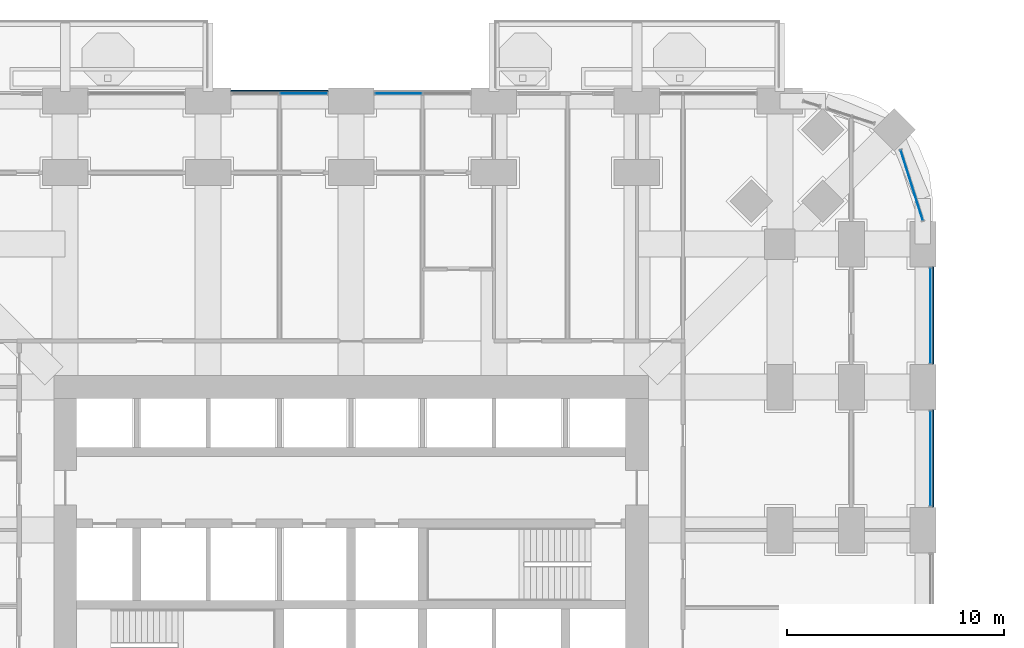
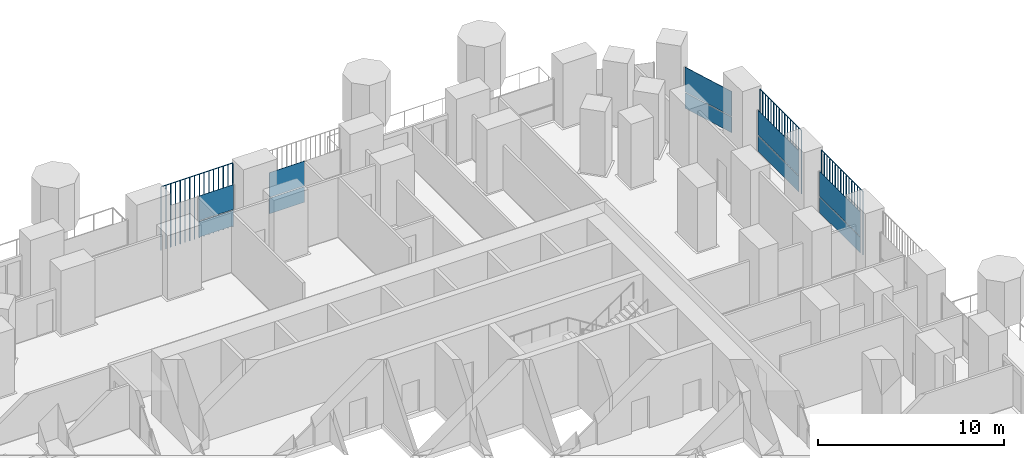
# One storey, part 16 of 27: 13 plates, 5 elements without a shape of their own.
"""IFC4 building model written with IfcOpenShell, lengths in metres."""

from ifc_helpers import new_model, si_unit, direction, frame, origin, origin_2d, place, context, subcontext, project, spatial, polyline, rectangle, outline, extrude, material, layer, layer_set, type_object, element, aggregate, save


model = new_model("IFC4")

# Units and contexts
model_context = context("Model", 3, precision=1e-05, world=origin(), true_north=direction((0.0, 1.0)))
body_context = subcontext(model_context, "Body", "Model", "MODEL_VIEW")
ifc_project = project(units=[si_unit("LENGTHUNIT", "METRE"), si_unit("AREAUNIT", "SQUARE_METRE"), si_unit("VOLUMEUNIT", "CUBIC_METRE"), si_unit("PLANEANGLEUNIT", "RADIAN"), si_unit("MASSUNIT", "GRAM", prefix="KILO")], contexts=[model_context])

# Site, building, storey
site_placement = place(None, origin())
site = spatial("IfcSite", under=ifc_project, at=site_placement, CompositionType="ELEMENT")
building_placement = place(site_placement, origin())
building = spatial("IfcBuilding", under=site, at=building_placement, Name="Cobogo Forest Laboratory Tower", CompositionType="ELEMENT")
storey_placement = place(building_placement, frame((0.0, 0.0, 38.10009765625)))
storey = spatial("IfcBuildingStorey", under=building, at=storey_placement, Name="L08", CompositionType="ELEMENT", Elevation=38.10009765625)

# Curtain wall, plates
ifc_material_1 = material(Name="Aluminium curtain wall", Category="aluminium")
curtain_wall_type = type_object("IfcCurtainWallType", Name="CW-1 unitised curtain wall, clear glazing, laboratory floors zones A and B", PredefinedType="USERDEFINED", material=ifc_material_1)
curtain_wall_1_placement = place(storey_placement, origin())
curtain_wall_1 = element("IfcCurtainWall", 1, at=curtain_wall_1_placement, inside=storey, type_object=curtain_wall_type, Name="Curtain wall 13 L08", ObjectType="UNITISED CURTAIN WALL", PredefinedType="USERDEFINED")
ifc_material_2 = material(Name="Clear insulated glass", Category="glass")
ifc_layer = layer(ifc_material_2, 0.028076171875)
ifc_layer_set = layer_set([ifc_layer], Name="GP-1 clear insulated glass unit 28")
plate_type_1 = type_object("IfcPlateType", Name="GP-1 clear insulated glass unit 28", PredefinedType="CURTAIN_PANEL", material=ifc_layer_set)
plate_1_placement = place(storey_placement, frame((53.14990234375, 29.699951171875, 0.0), z_axis=(0.0, 0.0, 1.0), x_axis=(0.0, 1.0, 0.0)))
plate_1 = element("IfcPlate", 2, at=plate_1_placement, type_object=plate_type_1, Name="CW-1 panel 1.1", PredefinedType="CURTAIN_PANEL", context=body_context, shape_type="SweptSolid", body=[
    extrude(rectangle(XDim=4.3798828125, YDim=0.028076171875, at=origin_2d()), origin(), (0.0, 0.0, 1.0), 1.02001953125),
])
plate_2_placement = place(storey_placement, frame((53.14990234375, 29.699951171875, 1.079833984375), z_axis=(0.0, 0.0, 1.0), x_axis=(0.0, 1.0, 0.0)))
plate_2 = element("IfcPlate", 3, at=plate_2_placement, type_object=plate_type_1, Name="CW-1 panel 1.2", PredefinedType="CURTAIN_PANEL", context=body_context, shape_type="SweptSolid", body=[
    extrude(rectangle(XDim=4.3798828125, YDim=0.028076171875, at=origin_2d()), origin(), (0.0, 0.0, 1.0), 1.6201171875),
])
aggregate(curtain_wall_1, [plate_1, plate_2])

curtain_wall_2_placement = place(storey_placement, origin())
curtain_wall_2 = element("IfcCurtainWall", 4, at=curtain_wall_2_placement, inside=storey, type_object=curtain_wall_type, Name="Curtain wall 14 L08", ObjectType="UNITISED CURTAIN WALL", PredefinedType="USERDEFINED")
plate_3_placement = place(storey_placement, frame((53.14990234375, 36.300048828125, 0.0), z_axis=(0.0, 0.0, 1.0), x_axis=(0.0, 1.0, 0.0)))
plate_3 = element("IfcPlate", 5, at=plate_3_placement, type_object=plate_type_1, Name="CW-1 panel 1.1", PredefinedType="CURTAIN_PANEL", context=body_context, shape_type="SweptSolid", body=[
    extrude(rectangle(XDim=4.3798828125, YDim=0.028076171875, at=origin_2d()), origin(), (0.0, 0.0, 1.0), 1.02001953125),
])
plate_4_placement = place(storey_placement, frame((53.14990234375, 36.300048828125, 1.079833984375), z_axis=(0.0, 0.0, 1.0), x_axis=(0.0, 1.0, 0.0)))
plate_4 = element("IfcPlate", 6, at=plate_4_placement, type_object=plate_type_1, Name="CW-1 panel 1.2", PredefinedType="CURTAIN_PANEL", context=body_context, shape_type="SweptSolid", body=[
    extrude(rectangle(XDim=4.3798828125, YDim=0.028076171875, at=origin_2d()), origin(), (0.0, 0.0, 1.0), 1.6201171875),
])
aggregate(curtain_wall_2, [plate_3, plate_4])

curtain_wall_3_placement = place(storey_placement, origin())
curtain_wall_3 = element("IfcCurtainWall", 7, at=curtain_wall_3_placement, inside=storey, type_object=curtain_wall_type, Name="Curtain wall 15 L08", ObjectType="UNITISED CURTAIN WALL", PredefinedType="USERDEFINED")
plate_5_placement = place(storey_placement, frame((52.291015625, 42.320068359375, 0.0), z_axis=(0.0, 0.0, 1.0), x_axis=(-0.30113535792, 0.95358140513, 0.0)))
plate_5 = element("IfcPlate", 8, at=plate_5_placement, type_object=plate_type_1, Name="CW-1 panel 1.1", PredefinedType="CURTAIN_PANEL", context=body_context, shape_type="SweptSolid", body=[
    extrude(rectangle(XDim=3.382568359375, YDim=0.028076171875, at=origin_2d()), origin(), (0.0, 0.0, 1.0), 1.02001953125),
])
plate_6_placement = place(storey_placement, frame((52.291015625, 42.320068359375, 1.079833984375), z_axis=(0.0, 0.0, 1.0), x_axis=(-0.30113535792, 0.95358140513, 0.0)))
plate_6 = element("IfcPlate", 9, at=plate_6_placement, type_object=plate_type_1, Name="CW-1 panel 1.2", PredefinedType="CURTAIN_PANEL", context=body_context, shape_type="SweptSolid", body=[
    extrude(rectangle(XDim=3.382568359375, YDim=0.028076171875, at=origin_2d()), origin(), (0.0, 0.0, 1.0), 1.6201171875),
])
aggregate(curtain_wall_3, [plate_5, plate_6])

curtain_wall_4_placement = place(storey_placement, origin())
curtain_wall_4 = element("IfcCurtainWall", 10, at=curtain_wall_4_placement, inside=storey, type_object=curtain_wall_type, Name="Curtain wall 20 L08", ObjectType="UNITISED CURTAIN WALL", PredefinedType="USERDEFINED")
plate_7_placement = place(storey_placement, frame((28.590087890625, 46.550048828125, 0.0), z_axis=(0.0, 0.0, 1.0), x_axis=(-1.0, 0.0, 0.0)))
plate_7 = element("IfcPlate", 11, at=plate_7_placement, type_object=plate_type_1, Name="CW-1 panel 2.1", PredefinedType="CURTAIN_PANEL", context=body_context, shape_type="SweptSolid", body=[
    extrude(rectangle(XDim=2.159912109375, YDim=0.028076171875, at=origin_2d()), origin(), (0.0, 0.0, 1.0), 1.02001953125),
])
plate_8_placement = place(storey_placement, frame((28.590087890625, 46.550048828125, 1.079833984375), z_axis=(0.0, 0.0, 1.0), x_axis=(-1.0, 0.0, 0.0)))
plate_8 = element("IfcPlate", 12, at=plate_8_placement, type_object=plate_type_1, Name="CW-1 panel 2.2", PredefinedType="CURTAIN_PANEL", context=body_context, shape_type="SweptSolid", body=[
    extrude(rectangle(XDim=2.159912109375, YDim=0.028076171875, at=origin_2d()), origin(), (0.0, 0.0, 1.0), 1.6201171875),
])
aggregate(curtain_wall_4, [plate_7, plate_8])

curtain_wall_5_placement = place(storey_placement, origin())
curtain_wall_5 = element("IfcCurtainWall", 13, at=curtain_wall_5_placement, inside=storey, type_object=curtain_wall_type, Name="Curtain wall 21 L08", ObjectType="UNITISED CURTAIN WALL", PredefinedType="USERDEFINED")
plate_9_placement = place(storey_placement, frame((24.2099609375, 46.550048828125, 0.0), z_axis=(0.0, 0.0, 1.0), x_axis=(-1.0, 0.0, 0.0)))
plate_9 = element("IfcPlate", 14, at=plate_9_placement, type_object=plate_type_1, Name="CW-1 panel 1.1", PredefinedType="CURTAIN_PANEL", context=body_context, shape_type="SweptSolid", body=[
    extrude(rectangle(XDim=2.159912109375, YDim=0.028076171875, at=origin_2d()), origin(), (0.0, 0.0, 1.0), 1.02001953125),
])
plate_10_placement = place(storey_placement, frame((24.2099609375, 46.550048828125, 1.079833984375), z_axis=(0.0, 0.0, 1.0), x_axis=(-1.0, 0.0, 0.0)))
plate_10 = element("IfcPlate", 15, at=plate_10_placement, type_object=plate_type_1, Name="CW-1 panel 1.2", PredefinedType="CURTAIN_PANEL", context=body_context, shape_type="SweptSolid", body=[
    extrude(rectangle(XDim=2.159912109375, YDim=0.028076171875, at=origin_2d()), origin(), (0.0, 0.0, 1.0), 1.6201171875),
])
aggregate(curtain_wall_5, [plate_9, plate_10])

# Plates
ifc_material_3 = material(Name="Terracotta", Category="masonry")
plate_type_2 = type_object("IfcPlateType", Name="TB1 terracotta baguette screen", PredefinedType="USERDEFINED", material=ifc_material_3)
plate_11_placement = place(storey_placement, frame((53.27783203125, 27.481201171875, -0.150146484375)))
element("IfcPlate", 16, at=plate_11_placement, inside=storey, type_object=plate_type_2, Name="Baguette screen E4 L08", ObjectType="BAGUETTE SCREEN", PredefinedType="USERDEFINED", context=body_context, shape_type="SweptSolid", body=[
    extrude(outline(polyline([(0.02880859375, 0.011962890625), (0.011962890625, 0.02880859375), (-0.011962890625, 0.02880859375), (-0.02880859375, 0.011962890625), (-0.02880859375, -0.011962890625), (-0.011962890625, -0.02880859375), (0.011962890625, -0.02880859375), (0.02880859375, -0.011962890625), (0.02880859375, 0.011962890625)])), frame((0.0, 0.0, 4.168701171875), z_axis=(0.0, 1.0, 0.0), x_axis=(-1.0, 0.0, 0.0)), (0.0, 0.0, 1.0), 4.4375),
    extrude(outline(polyline([(0.02880859375, 0.011962890625), (0.011962890625, 0.02880859375), (-0.011962890625, 0.02880859375), (-0.02880859375, 0.011962890625), (-0.02880859375, -0.011962890625), (-0.011962890625, -0.02880859375), (0.011962890625, -0.02880859375), (0.02880859375, -0.011962890625), (0.02880859375, 0.011962890625)])), origin(), (0.0, 0.0, 1.0), 4.137451171875),
    extrude(outline(polyline([(0.02880859375, 0.011962890625), (0.011962890625, 0.02880859375), (-0.011962890625, 0.02880859375), (-0.02880859375, 0.011962890625), (-0.02880859375, -0.011962890625), (-0.011962890625, -0.02880859375), (0.011962890625, -0.02880859375), (0.02880859375, -0.011962890625), (0.02880859375, 0.011962890625)])), frame((0.0, 0.2958984375, 0.0)), (0.0, 0.0, 1.0), 4.137451171875),
    extrude(outline(polyline([(0.02880859375, 0.011962890625), (0.011962890625, 0.02880859375), (-0.011962890625, 0.02880859375), (-0.02880859375, 0.011962890625), (-0.02880859375, -0.011962890625), (-0.011962890625, -0.02880859375), (0.011962890625, -0.02880859375), (0.02880859375, -0.011962890625), (0.02880859375, 0.011962890625)])), frame((0.0, 0.591552734375, 0.0)), (0.0, 0.0, 1.0), 4.137451171875),
    extrude(outline(polyline([(0.02880859375, 0.011962890625), (0.011962890625, 0.02880859375), (-0.011962890625, 0.02880859375), (-0.02880859375, 0.011962890625), (-0.02880859375, -0.011962890625), (-0.011962890625, -0.02880859375), (0.011962890625, -0.02880859375), (0.02880859375, -0.011962890625), (0.02880859375, 0.011962890625)])), frame((0.0, 0.887451171875, 0.0)), (0.0, 0.0, 1.0), 4.137451171875),
    extrude(outline(polyline([(0.02880859375, 0.011962890625), (0.011962890625, 0.02880859375), (-0.011962890625, 0.02880859375), (-0.02880859375, 0.011962890625), (-0.02880859375, -0.011962890625), (-0.011962890625, -0.02880859375), (0.011962890625, -0.02880859375), (0.02880859375, -0.011962890625), (0.02880859375, 0.011962890625)])), frame((0.0, 1.183349609375, 0.0)), (0.0, 0.0, 1.0), 4.137451171875),
    extrude(outline(polyline([(0.02880859375, 0.011962890625), (0.011962890625, 0.02880859375), (-0.011962890625, 0.02880859375), (-0.02880859375, 0.011962890625), (-0.02880859375, -0.011962890625), (-0.011962890625, -0.02880859375), (0.011962890625, -0.02880859375), (0.02880859375, -0.011962890625), (0.02880859375, 0.011962890625)])), frame((0.0, 1.479248046875, 0.0)), (0.0, 0.0, 1.0), 4.137451171875),
    extrude(outline(polyline([(0.02880859375, 0.011962890625), (0.011962890625, 0.02880859375), (-0.011962890625, 0.02880859375), (-0.02880859375, 0.011962890625), (-0.02880859375, -0.011962890625), (-0.011962890625, -0.02880859375), (0.011962890625, -0.02880859375), (0.02880859375, -0.011962890625), (0.02880859375, 0.011962890625)])), frame((0.0, 1.77490234375, 0.0)), (0.0, 0.0, 1.0), 4.137451171875),
    extrude(outline(polyline([(0.02880859375, 0.011962890625), (0.011962890625, 0.02880859375), (-0.011962890625, 0.02880859375), (-0.02880859375, 0.011962890625), (-0.02880859375, -0.011962890625), (-0.011962890625, -0.02880859375), (0.011962890625, -0.02880859375), (0.02880859375, -0.011962890625), (0.02880859375, 0.011962890625)])), frame((0.0, 2.07080078125, 0.0)), (0.0, 0.0, 1.0), 4.137451171875),
    extrude(outline(polyline([(0.02880859375, 0.011962890625), (0.011962890625, 0.02880859375), (-0.011962890625, 0.02880859375), (-0.02880859375, 0.011962890625), (-0.02880859375, -0.011962890625), (-0.011962890625, -0.02880859375), (0.011962890625, -0.02880859375), (0.02880859375, -0.011962890625), (0.02880859375, 0.011962890625)])), frame((0.0, 2.36669921875, 0.0)), (0.0, 0.0, 1.0), 4.137451171875),
    extrude(outline(polyline([(0.02880859375, 0.011962890625), (0.011962890625, 0.02880859375), (-0.011962890625, 0.02880859375), (-0.02880859375, 0.011962890625), (-0.02880859375, -0.011962890625), (-0.011962890625, -0.02880859375), (0.011962890625, -0.02880859375), (0.02880859375, -0.011962890625), (0.02880859375, 0.011962890625)])), frame((0.0, 2.66259765625, 0.0)), (0.0, 0.0, 1.0), 4.137451171875),
    extrude(outline(polyline([(0.02880859375, 0.011962890625), (0.011962890625, 0.02880859375), (-0.011962890625, 0.02880859375), (-0.02880859375, 0.011962890625), (-0.02880859375, -0.011962890625), (-0.011962890625, -0.02880859375), (0.011962890625, -0.02880859375), (0.02880859375, -0.011962890625), (0.02880859375, 0.011962890625)])), frame((0.0, 2.958251953125, 0.0)), (0.0, 0.0, 1.0), 4.137451171875),
    extrude(outline(polyline([(0.02880859375, 0.011962890625), (0.011962890625, 0.02880859375), (-0.011962890625, 0.02880859375), (-0.02880859375, 0.011962890625), (-0.02880859375, -0.011962890625), (-0.011962890625, -0.02880859375), (0.011962890625, -0.02880859375), (0.02880859375, -0.011962890625), (0.02880859375, 0.011962890625)])), frame((0.0, 3.254150390625, 0.0)), (0.0, 0.0, 1.0), 4.137451171875),
    extrude(outline(polyline([(0.02880859375, 0.011962890625), (0.011962890625, 0.02880859375), (-0.011962890625, 0.02880859375), (-0.02880859375, 0.011962890625), (-0.02880859375, -0.011962890625), (-0.011962890625, -0.02880859375), (0.011962890625, -0.02880859375), (0.02880859375, -0.011962890625), (0.02880859375, 0.011962890625)])), frame((0.0, 3.550048828125, 0.0)), (0.0, 0.0, 1.0), 4.137451171875),
    extrude(outline(polyline([(0.02880859375, 0.011962890625), (0.011962890625, 0.02880859375), (-0.011962890625, 0.02880859375), (-0.02880859375, 0.011962890625), (-0.02880859375, -0.011962890625), (-0.011962890625, -0.02880859375), (0.011962890625, -0.02880859375), (0.02880859375, -0.011962890625), (0.02880859375, 0.011962890625)])), frame((0.0, 3.845947265625, 0.0)), (0.0, 0.0, 1.0), 4.137451171875),
    extrude(outline(polyline([(0.02880859375, 0.011962890625), (0.011962890625, 0.02880859375), (-0.011962890625, 0.02880859375), (-0.02880859375, 0.011962890625), (-0.02880859375, -0.011962890625), (-0.011962890625, -0.02880859375), (0.011962890625, -0.02880859375), (0.02880859375, -0.011962890625), (0.02880859375, 0.011962890625)])), frame((0.0, 4.1416015625, 0.0)), (0.0, 0.0, 1.0), 4.137451171875),
    extrude(outline(polyline([(0.02880859375, 0.011962890625), (0.011962890625, 0.02880859375), (-0.011962890625, 0.02880859375), (-0.02880859375, 0.011962890625), (-0.02880859375, -0.011962890625), (-0.011962890625, -0.02880859375), (0.011962890625, -0.02880859375), (0.02880859375, -0.011962890625), (0.02880859375, 0.011962890625)])), frame((0.0, 4.4375, 0.0)), (0.0, 0.0, 1.0), 4.137451171875),
])
plate_12_placement = place(storey_placement, frame((53.27783203125, 34.081298828125, -0.150146484375)))
element("IfcPlate", 17, at=plate_12_placement, inside=storey, type_object=plate_type_2, Name="Baguette screen E5 L08", ObjectType="BAGUETTE SCREEN", PredefinedType="USERDEFINED", context=body_context, shape_type="SweptSolid", body=[
    extrude(outline(polyline([(0.02880859375, 0.011962890625), (0.011962890625, 0.02880859375), (-0.011962890625, 0.02880859375), (-0.02880859375, 0.011962890625), (-0.02880859375, -0.011962890625), (-0.011962890625, -0.02880859375), (0.011962890625, -0.02880859375), (0.02880859375, -0.011962890625), (0.02880859375, 0.011962890625)])), frame((0.0, 0.0, 4.168701171875), z_axis=(0.0, 1.0, 0.0), x_axis=(-1.0, 0.0, 0.0)), (0.0, 0.0, 1.0), 4.4375),
    extrude(outline(polyline([(0.02880859375, 0.011962890625), (0.011962890625, 0.02880859375), (-0.011962890625, 0.02880859375), (-0.02880859375, 0.011962890625), (-0.02880859375, -0.011962890625), (-0.011962890625, -0.02880859375), (0.011962890625, -0.02880859375), (0.02880859375, -0.011962890625), (0.02880859375, 0.011962890625)])), origin(), (0.0, 0.0, 1.0), 4.137451171875),
    extrude(outline(polyline([(0.02880859375, 0.011962890625), (0.011962890625, 0.02880859375), (-0.011962890625, 0.02880859375), (-0.02880859375, 0.011962890625), (-0.02880859375, -0.011962890625), (-0.011962890625, -0.02880859375), (0.011962890625, -0.02880859375), (0.02880859375, -0.011962890625), (0.02880859375, 0.011962890625)])), frame((0.0, 0.2958984375, 0.0)), (0.0, 0.0, 1.0), 4.137451171875),
    extrude(outline(polyline([(0.02880859375, 0.011962890625), (0.011962890625, 0.02880859375), (-0.011962890625, 0.02880859375), (-0.02880859375, 0.011962890625), (-0.02880859375, -0.011962890625), (-0.011962890625, -0.02880859375), (0.011962890625, -0.02880859375), (0.02880859375, -0.011962890625), (0.02880859375, 0.011962890625)])), frame((0.0, 0.591552734375, 0.0)), (0.0, 0.0, 1.0), 4.137451171875),
    extrude(outline(polyline([(0.02880859375, 0.011962890625), (0.011962890625, 0.02880859375), (-0.011962890625, 0.02880859375), (-0.02880859375, 0.011962890625), (-0.02880859375, -0.011962890625), (-0.011962890625, -0.02880859375), (0.011962890625, -0.02880859375), (0.02880859375, -0.011962890625), (0.02880859375, 0.011962890625)])), frame((0.0, 0.887451171875, 0.0)), (0.0, 0.0, 1.0), 4.137451171875),
    extrude(outline(polyline([(0.02880859375, 0.011962890625), (0.011962890625, 0.02880859375), (-0.011962890625, 0.02880859375), (-0.02880859375, 0.011962890625), (-0.02880859375, -0.011962890625), (-0.011962890625, -0.02880859375), (0.011962890625, -0.02880859375), (0.02880859375, -0.011962890625), (0.02880859375, 0.011962890625)])), frame((0.0, 1.183349609375, 0.0)), (0.0, 0.0, 1.0), 4.137451171875),
    extrude(outline(polyline([(0.02880859375, 0.011962890625), (0.011962890625, 0.02880859375), (-0.011962890625, 0.02880859375), (-0.02880859375, 0.011962890625), (-0.02880859375, -0.011962890625), (-0.011962890625, -0.02880859375), (0.011962890625, -0.02880859375), (0.02880859375, -0.011962890625), (0.02880859375, 0.011962890625)])), frame((0.0, 1.479248046875, 0.0)), (0.0, 0.0, 1.0), 4.137451171875),
    extrude(outline(polyline([(0.02880859375, 0.011962890625), (0.011962890625, 0.02880859375), (-0.011962890625, 0.02880859375), (-0.02880859375, 0.011962890625), (-0.02880859375, -0.011962890625), (-0.011962890625, -0.02880859375), (0.011962890625, -0.02880859375), (0.02880859375, -0.011962890625), (0.02880859375, 0.011962890625)])), frame((0.0, 1.77490234375, 0.0)), (0.0, 0.0, 1.0), 4.137451171875),
    extrude(outline(polyline([(0.02880859375, 0.011962890625), (0.011962890625, 0.02880859375), (-0.011962890625, 0.02880859375), (-0.02880859375, 0.011962890625), (-0.02880859375, -0.011962890625), (-0.011962890625, -0.02880859375), (0.011962890625, -0.02880859375), (0.02880859375, -0.011962890625), (0.02880859375, 0.011962890625)])), frame((0.0, 2.07080078125, 0.0)), (0.0, 0.0, 1.0), 4.137451171875),
    extrude(outline(polyline([(0.02880859375, 0.011962890625), (0.011962890625, 0.02880859375), (-0.011962890625, 0.02880859375), (-0.02880859375, 0.011962890625), (-0.02880859375, -0.011962890625), (-0.011962890625, -0.02880859375), (0.011962890625, -0.02880859375), (0.02880859375, -0.011962890625), (0.02880859375, 0.011962890625)])), frame((0.0, 2.36669921875, 0.0)), (0.0, 0.0, 1.0), 4.137451171875),
    extrude(outline(polyline([(0.02880859375, 0.011962890625), (0.011962890625, 0.02880859375), (-0.011962890625, 0.02880859375), (-0.02880859375, 0.011962890625), (-0.02880859375, -0.011962890625), (-0.011962890625, -0.02880859375), (0.011962890625, -0.02880859375), (0.02880859375, -0.011962890625), (0.02880859375, 0.011962890625)])), frame((0.0, 2.66259765625, 0.0)), (0.0, 0.0, 1.0), 4.137451171875),
    extrude(outline(polyline([(0.02880859375, 0.011962890625), (0.011962890625, 0.02880859375), (-0.011962890625, 0.02880859375), (-0.02880859375, 0.011962890625), (-0.02880859375, -0.011962890625), (-0.011962890625, -0.02880859375), (0.011962890625, -0.02880859375), (0.02880859375, -0.011962890625), (0.02880859375, 0.011962890625)])), frame((0.0, 2.958251953125, 0.0)), (0.0, 0.0, 1.0), 4.137451171875),
    extrude(outline(polyline([(0.02880859375, 0.011962890625), (0.011962890625, 0.02880859375), (-0.011962890625, 0.02880859375), (-0.02880859375, 0.011962890625), (-0.02880859375, -0.011962890625), (-0.011962890625, -0.02880859375), (0.011962890625, -0.02880859375), (0.02880859375, -0.011962890625), (0.02880859375, 0.011962890625)])), frame((0.0, 3.254150390625, 0.0)), (0.0, 0.0, 1.0), 4.137451171875),
    extrude(outline(polyline([(0.02880859375, 0.011962890625), (0.011962890625, 0.02880859375), (-0.011962890625, 0.02880859375), (-0.02880859375, 0.011962890625), (-0.02880859375, -0.011962890625), (-0.011962890625, -0.02880859375), (0.011962890625, -0.02880859375), (0.02880859375, -0.011962890625), (0.02880859375, 0.011962890625)])), frame((0.0, 3.550048828125, 0.0)), (0.0, 0.0, 1.0), 4.137451171875),
    extrude(outline(polyline([(0.02880859375, 0.011962890625), (0.011962890625, 0.02880859375), (-0.011962890625, 0.02880859375), (-0.02880859375, 0.011962890625), (-0.02880859375, -0.011962890625), (-0.011962890625, -0.02880859375), (0.011962890625, -0.02880859375), (0.02880859375, -0.011962890625), (0.02880859375, 0.011962890625)])), frame((0.0, 3.845947265625, 0.0)), (0.0, 0.0, 1.0), 4.137451171875),
    extrude(outline(polyline([(0.02880859375, 0.011962890625), (0.011962890625, 0.02880859375), (-0.011962890625, 0.02880859375), (-0.02880859375, 0.011962890625), (-0.02880859375, -0.011962890625), (-0.011962890625, -0.02880859375), (0.011962890625, -0.02880859375), (0.02880859375, -0.011962890625), (0.02880859375, 0.011962890625)])), frame((0.0, 4.1416015625, 0.0)), (0.0, 0.0, 1.0), 4.137451171875),
    extrude(outline(polyline([(0.02880859375, 0.011962890625), (0.011962890625, 0.02880859375), (-0.011962890625, 0.02880859375), (-0.02880859375, 0.011962890625), (-0.02880859375, -0.011962890625), (-0.011962890625, -0.02880859375), (0.011962890625, -0.02880859375), (0.02880859375, -0.011962890625), (0.02880859375, 0.011962890625)])), frame((0.0, 4.4375, 0.0)), (0.0, 0.0, 1.0), 4.137451171875),
])
plate_13_placement = place(storey_placement, frame((20.88134765625, 46.677978515625, -0.150146484375)))
element("IfcPlate", 18, at=plate_13_placement, inside=storey, type_object=plate_type_2, Name="Baguette screen N3 L08", ObjectType="BAGUETTE SCREEN", PredefinedType="USERDEFINED", context=body_context, shape_type="SweptSolid", body=[
    extrude(outline(polyline([(0.02880859375, 0.011962890625), (0.011962890625, 0.02880859375), (-0.011962890625, 0.02880859375), (-0.02880859375, 0.011962890625), (-0.02880859375, -0.011962890625), (-0.011962890625, -0.02880859375), (0.011962890625, -0.02880859375), (0.02880859375, -0.011962890625), (0.02880859375, 0.011962890625)])), frame((0.0, 0.0, 4.168701171875), z_axis=(1.0, 0.0, 0.0), x_axis=(0.0, 1.0, 0.0)), (0.0, 0.0, 1.0), 4.4375),
    extrude(outline(polyline([(0.02880859375, 0.011962890625), (0.011962890625, 0.02880859375), (-0.011962890625, 0.02880859375), (-0.02880859375, 0.011962890625), (-0.02880859375, -0.011962890625), (-0.011962890625, -0.02880859375), (0.011962890625, -0.02880859375), (0.02880859375, -0.011962890625), (0.02880859375, 0.011962890625)])), origin(), (0.0, 0.0, 1.0), 4.137451171875),
    extrude(outline(polyline([(0.02880859375, 0.011962890625), (0.011962890625, 0.02880859375), (-0.011962890625, 0.02880859375), (-0.02880859375, 0.011962890625), (-0.02880859375, -0.011962890625), (-0.011962890625, -0.02880859375), (0.011962890625, -0.02880859375), (0.02880859375, -0.011962890625), (0.02880859375, 0.011962890625)])), frame((0.2958984375, 0.0, 0.0)), (0.0, 0.0, 1.0), 4.137451171875),
    extrude(outline(polyline([(0.02880859375, 0.011962890625), (0.011962890625, 0.02880859375), (-0.011962890625, 0.02880859375), (-0.02880859375, 0.011962890625), (-0.02880859375, -0.011962890625), (-0.011962890625, -0.02880859375), (0.011962890625, -0.02880859375), (0.02880859375, -0.011962890625), (0.02880859375, 0.011962890625)])), frame((0.591552734375, 0.0, 0.0)), (0.0, 0.0, 1.0), 4.137451171875),
    extrude(outline(polyline([(0.02880859375, 0.011962890625), (0.011962890625, 0.02880859375), (-0.011962890625, 0.02880859375), (-0.02880859375, 0.011962890625), (-0.02880859375, -0.011962890625), (-0.011962890625, -0.02880859375), (0.011962890625, -0.02880859375), (0.02880859375, -0.011962890625), (0.02880859375, 0.011962890625)])), frame((0.887451171875, 0.0, 0.0)), (0.0, 0.0, 1.0), 4.137451171875),
    extrude(outline(polyline([(0.02880859375, 0.011962890625), (0.011962890625, 0.02880859375), (-0.011962890625, 0.02880859375), (-0.02880859375, 0.011962890625), (-0.02880859375, -0.011962890625), (-0.011962890625, -0.02880859375), (0.011962890625, -0.02880859375), (0.02880859375, -0.011962890625), (0.02880859375, 0.011962890625)])), frame((1.183349609375, 0.0, 0.0)), (0.0, 0.0, 1.0), 4.137451171875),
    extrude(outline(polyline([(0.02880859375, 0.011962890625), (0.011962890625, 0.02880859375), (-0.011962890625, 0.02880859375), (-0.02880859375, 0.011962890625), (-0.02880859375, -0.011962890625), (-0.011962890625, -0.02880859375), (0.011962890625, -0.02880859375), (0.02880859375, -0.011962890625), (0.02880859375, 0.011962890625)])), frame((1.479248046875, 0.0, 0.0)), (0.0, 0.0, 1.0), 4.137451171875),
    extrude(outline(polyline([(0.02880859375, 0.011962890625), (0.011962890625, 0.02880859375), (-0.011962890625, 0.02880859375), (-0.02880859375, 0.011962890625), (-0.02880859375, -0.011962890625), (-0.011962890625, -0.02880859375), (0.011962890625, -0.02880859375), (0.02880859375, -0.011962890625), (0.02880859375, 0.011962890625)])), frame((1.77490234375, 0.0, 0.0)), (0.0, 0.0, 1.0), 4.137451171875),
    extrude(outline(polyline([(0.02880859375, 0.011962890625), (0.011962890625, 0.02880859375), (-0.011962890625, 0.02880859375), (-0.02880859375, 0.011962890625), (-0.02880859375, -0.011962890625), (-0.011962890625, -0.02880859375), (0.011962890625, -0.02880859375), (0.02880859375, -0.011962890625), (0.02880859375, 0.011962890625)])), frame((2.07080078125, 0.0, 0.0)), (0.0, 0.0, 1.0), 4.137451171875),
    extrude(outline(polyline([(0.02880859375, 0.011962890625), (0.011962890625, 0.02880859375), (-0.011962890625, 0.02880859375), (-0.02880859375, 0.011962890625), (-0.02880859375, -0.011962890625), (-0.011962890625, -0.02880859375), (0.011962890625, -0.02880859375), (0.02880859375, -0.011962890625), (0.02880859375, 0.011962890625)])), frame((2.36669921875, 0.0, 0.0)), (0.0, 0.0, 1.0), 4.137451171875),
    extrude(outline(polyline([(0.02880859375, 0.011962890625), (0.011962890625, 0.02880859375), (-0.011962890625, 0.02880859375), (-0.02880859375, 0.011962890625), (-0.02880859375, -0.011962890625), (-0.011962890625, -0.02880859375), (0.011962890625, -0.02880859375), (0.02880859375, -0.011962890625), (0.02880859375, 0.011962890625)])), frame((2.66259765625, 0.0, 0.0)), (0.0, 0.0, 1.0), 4.137451171875),
    extrude(outline(polyline([(0.02880859375, 0.011962890625), (0.011962890625, 0.02880859375), (-0.011962890625, 0.02880859375), (-0.02880859375, 0.011962890625), (-0.02880859375, -0.011962890625), (-0.011962890625, -0.02880859375), (0.011962890625, -0.02880859375), (0.02880859375, -0.011962890625), (0.02880859375, 0.011962890625)])), frame((2.958251953125, 0.0, 0.0)), (0.0, 0.0, 1.0), 4.137451171875),
    extrude(outline(polyline([(0.02880859375, 0.011962890625), (0.011962890625, 0.02880859375), (-0.011962890625, 0.02880859375), (-0.02880859375, 0.011962890625), (-0.02880859375, -0.011962890625), (-0.011962890625, -0.02880859375), (0.011962890625, -0.02880859375), (0.02880859375, -0.011962890625), (0.02880859375, 0.011962890625)])), frame((3.254150390625, 0.0, 0.0)), (0.0, 0.0, 1.0), 4.137451171875),
    extrude(outline(polyline([(0.02880859375, 0.011962890625), (0.011962890625, 0.02880859375), (-0.011962890625, 0.02880859375), (-0.02880859375, 0.011962890625), (-0.02880859375, -0.011962890625), (-0.011962890625, -0.02880859375), (0.011962890625, -0.02880859375), (0.02880859375, -0.011962890625), (0.02880859375, 0.011962890625)])), frame((3.550048828125, 0.0, 0.0)), (0.0, 0.0, 1.0), 4.137451171875),
    extrude(outline(polyline([(0.02880859375, 0.011962890625), (0.011962890625, 0.02880859375), (-0.011962890625, 0.02880859375), (-0.02880859375, 0.011962890625), (-0.02880859375, -0.011962890625), (-0.011962890625, -0.02880859375), (0.011962890625, -0.02880859375), (0.02880859375, -0.011962890625), (0.02880859375, 0.011962890625)])), frame((3.845947265625, 0.0, 0.0)), (0.0, 0.0, 1.0), 4.137451171875),
    extrude(outline(polyline([(0.02880859375, 0.011962890625), (0.011962890625, 0.02880859375), (-0.011962890625, 0.02880859375), (-0.02880859375, 0.011962890625), (-0.02880859375, -0.011962890625), (-0.011962890625, -0.02880859375), (0.011962890625, -0.02880859375), (0.02880859375, -0.011962890625), (0.02880859375, 0.011962890625)])), frame((4.1416015625, 0.0, 0.0)), (0.0, 0.0, 1.0), 4.137451171875),
    extrude(outline(polyline([(0.02880859375, 0.011962890625), (0.011962890625, 0.02880859375), (-0.011962890625, 0.02880859375), (-0.02880859375, 0.011962890625), (-0.02880859375, -0.011962890625), (-0.011962890625, -0.02880859375), (0.011962890625, -0.02880859375), (0.02880859375, -0.011962890625), (0.02880859375, 0.011962890625)])), frame((4.4375, 0.0, 0.0)), (0.0, 0.0, 1.0), 4.137451171875),
])

save(model, "model.ifc")
